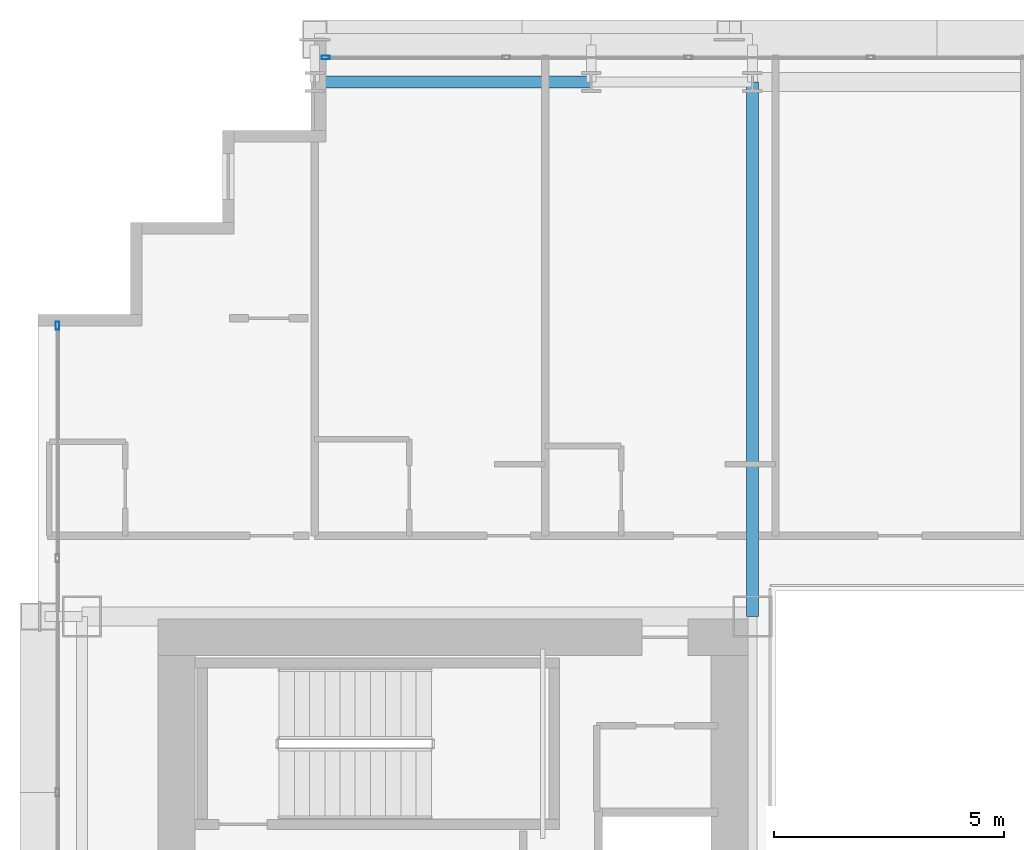
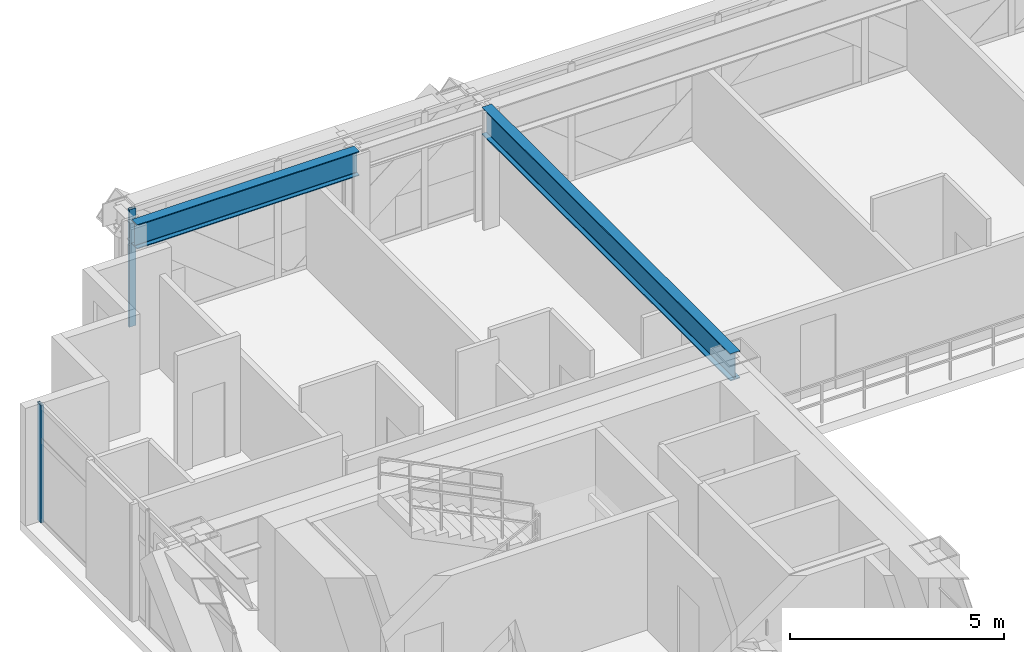
# One storey, part 17 of 38: 2 beams, 2 members, 2 elements without a shape of their own.
"""IFC4 building model written with IfcOpenShell, lengths in metres."""

from ifc_helpers import new_model, si_unit, direction, frame, origin, origin_2d, place, context, subcontext, project, spatial, hollow_rectangle, i_section, extrude, source, transform, mapped, material, layer, layer_set, material_profile, profile_set, type_object, element, aggregate, save


model = new_model("IFC4")

# Units and contexts
model_context = context("Model", 3, precision=1e-05, world=origin(), true_north=direction((0.0, 1.0)))
body_context = subcontext(model_context, "Body", "Model", "MODEL_VIEW")
ifc_project = project(units=[si_unit("LENGTHUNIT", "METRE"), si_unit("AREAUNIT", "SQUARE_METRE"), si_unit("VOLUMEUNIT", "CUBIC_METRE"), si_unit("PLANEANGLEUNIT", "RADIAN"), si_unit("MASSUNIT", "GRAM", prefix="KILO")], contexts=[model_context])

# Site, building, storey
site_placement = place(None, origin())
site = spatial("IfcSite", under=ifc_project, at=site_placement, CompositionType="ELEMENT")
building_placement = place(site_placement, origin())
building = spatial("IfcBuilding", under=site, at=building_placement, Name="Ocotamira Hotel", CompositionType="ELEMENT")
storey_placement = place(building_placement, frame((0.0, 0.0, 74.39990234375)))
storey = spatial("IfcBuildingStorey", under=building, at=storey_placement, Name="L18", CompositionType="ELEMENT", Elevation=74.39990234375)

# Beams
ifc_material_1 = material(Name="Steel ASTM A992 Grade 50", Category="steel")
ifc_material_profile_1 = material_profile(ifc_material_1, i_section(OverallWidth=0.256103515625, OverallDepth=0.693115234375, WebThickness=0.014404296875, FlangeThickness=0.023681640625, FilletRadius=0.01611328125, at=origin_2d()), Name="W27X114")
ifc_profile_set_1 = profile_set([ifc_material_profile_1], Name="Steel ASTM A992 Grade 50")
beam_type_1 = type_object("IfcBeamType", Name="BM-PRIM-W27X114", PredefinedType="BEAM", material=ifc_profile_set_1)
shared_shape_1 = source(origin(), body_context, "Body", "SweptSolid", [
    extrude(i_section(OverallWidth=0.256103515625, OverallDepth=0.693115234375, WebThickness=0.014404296875, FlangeThickness=0.023681640625, FilletRadius=0.01611328125, at=origin_2d()), origin(), (0.0, 0.0, 1.0), 6.0),
])
beam_1_placement = place(storey_placement, frame((14.0, 49.050048828125, 3.003662109375), z_axis=(1.0, 0.0, 0.0), x_axis=(0.0, 1.0, 0.0)))
element("IfcBeam", 1, at=beam_1_placement, inside=storey, type_object=beam_type_1, Name="L18 Girder Y49.05 X14-20", PredefinedType="BEAM", context=body_context, shape_type="MappedRepresentation", body=[
    mapped(shared_shape_1, transform((0.0, 0.0, 0.0), scale=1.0)),
])
ifc_material_profile_2 = material_profile(ifc_material_1, i_section(OverallWidth=0.26611328125, OverallDepth=0.779052734375, WebThickness=0.0166015625, FlangeThickness=0.030029296875, FilletRadius=0.01806640625, at=origin_2d()), Name="W30X148")
ifc_profile_set_2 = profile_set([ifc_material_profile_2], Name="Steel ASTM A992 Grade 50")
beam_type_2 = type_object("IfcBeamType", Name="BM-GIRD-W30X148", PredefinedType="BEAM", material=ifc_profile_set_2)
shared_shape_2 = source(origin(), body_context, "Body", "SweptSolid", [
    extrude(i_section(OverallWidth=0.26611328125, OverallDepth=0.779052734375, WebThickness=0.0166015625, FlangeThickness=0.030029296875, FilletRadius=0.01806640625, at=origin_2d()), origin(), (0.0, 0.0, 1.0), 11.60009765625),
])
beam_2_placement = place(storey_placement, frame((23.5, 37.449951171875, 2.960693359375), z_axis=(0.0, 1.0, 0.0), x_axis=(-1.0, 0.0, 0.0)))
element("IfcBeam", 2, at=beam_2_placement, inside=storey, type_object=beam_type_2, Name="L18 Beam X23.5 Y37.45-49.05", PredefinedType="BEAM", context=body_context, shape_type="MappedRepresentation", body=[
    mapped(shared_shape_2, transform((0.0, 0.0, 0.0), scale=1.0)),
])

# Curtain wall, member
ifc_material_2 = material(Name="Anodised pale-metal aluminium and solar glass", Category="aluminium")
ifc_layer = layer(ifc_material_2, 0.179931640625)
ifc_layer_set = layer_set([ifc_layer], Name="Anodised pale-metal aluminium and solar glass")
curtain_wall_type = type_object("IfcCurtainWallType", Name="CW-SYS2-Z1", PredefinedType="NOTDEFINED", material=ifc_layer_set)
curtain_wall_1_placement = place(storey_placement, origin())
curtain_wall_1 = element("IfcCurtainWall", 3, at=curtain_wall_1_placement, inside=storey, type_object=curtain_wall_type, Name="L18 Curtain Wall CW-2 CW-L18-N", PredefinedType="NOTDEFINED")
ifc_material_3 = material(Name="Anodised pale-metal aluminium 6063-T6", Category="aluminium")
ifc_material_profile_3 = material_profile(ifc_material_3, hollow_rectangle(XDim=0.080078125, YDim=0.179931640625, WallThickness=0.006103515625, at=origin_2d()), Name="HSS180X80X6")
ifc_profile_set_3 = profile_set([ifc_material_profile_3], Name="Anodised pale-metal aluminium 6063-T6")
member_type = type_object("IfcMemberType", Name="CWM-180X75", PredefinedType="MULLION", material=ifc_profile_set_3)
shared_shape_3 = source(origin(), body_context, "Body", "SweptSolid", [
    extrude(hollow_rectangle(XDim=0.080078125, YDim=0.179931640625, WallThickness=0.006103515625, at=origin_2d()), origin(), (0.0, 0.0, 1.0), 3.35009765625),
])
member_1_placement = place(storey_placement, frame((14.239990234375, 49.580078125, 0.0), z_axis=(0.0, 0.0, 1.0), x_axis=(0.0, 1.0, 0.0)))
member_1 = element("IfcMember", 4, at=member_1_placement, type_object=member_type, Name="CW-2 mullion 1", PredefinedType="MULLION", context=body_context, shape_type="MappedRepresentation", body=[
    mapped(shared_shape_3, transform((0.0, 0.0, 0.0), scale=1.0)),
])
aggregate(curtain_wall_1, [member_1])

curtain_wall_2_placement = place(storey_placement, origin())
curtain_wall_2 = element("IfcCurtainWall", 5, at=curtain_wall_2_placement, inside=storey, type_object=curtain_wall_type, Name="L18 Curtain Wall CW-2 CW-L18-W", PredefinedType="NOTDEFINED")
member_2_placement = place(storey_placement, frame((8.419921875, 43.760009765625, 0.0), z_axis=(0.0, 0.0, 1.0), x_axis=(-1.0, 0.0, 0.0)))
member_2 = element("IfcMember", 6, at=member_2_placement, type_object=member_type, Name="CW-2 mullion 8", PredefinedType="MULLION", context=body_context, shape_type="MappedRepresentation", body=[
    mapped(shared_shape_3, transform((0.0, 0.0, 0.0), scale=1.0)),
])
aggregate(curtain_wall_2, [member_2])

save(model, "model.ifc")
